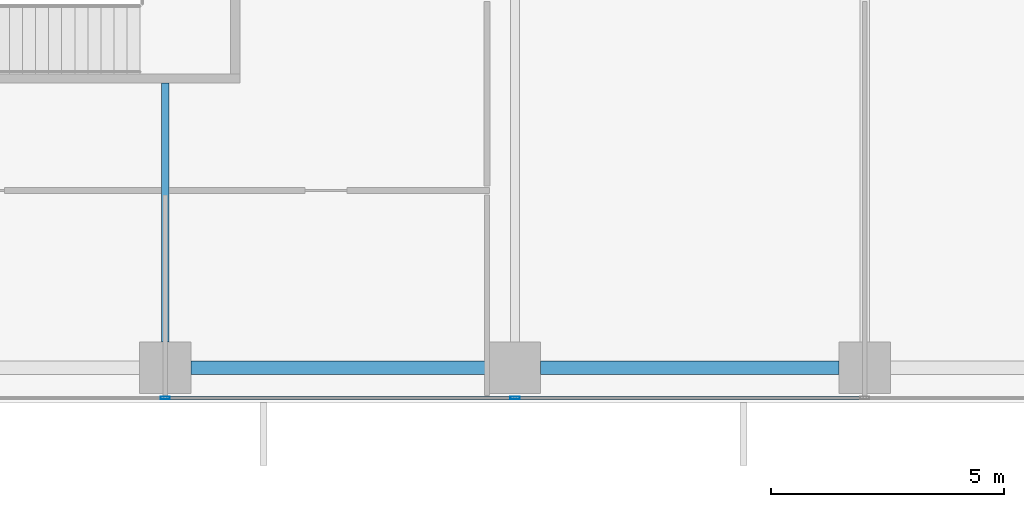
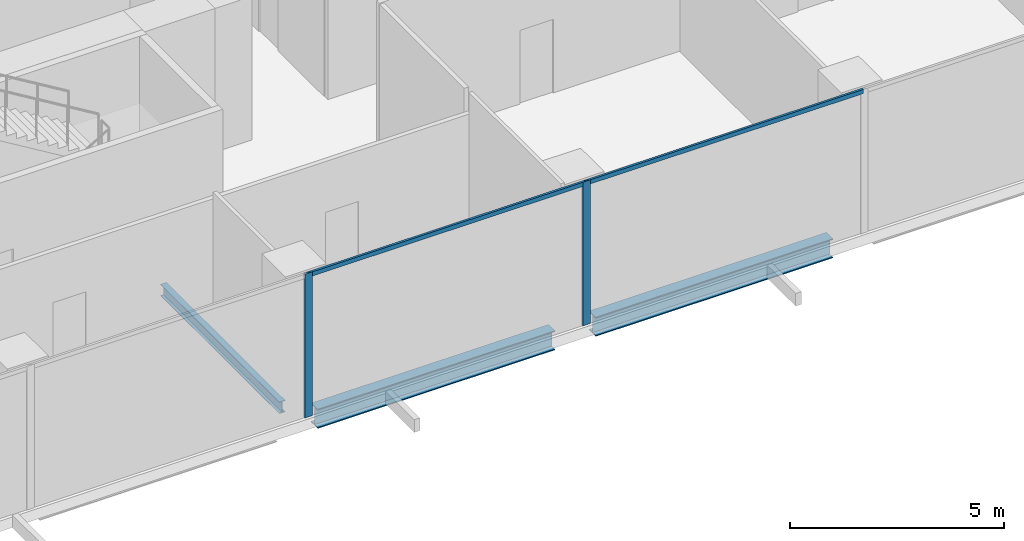
# One storey, part 5 of 34: 4 members, 3 beams, 1 element without a shape of its own.
"""IFC4 building model written with IfcOpenShell, lengths in metres."""

from ifc_helpers import new_model, si_unit, direction, frame, origin, origin_2d, place, context, subcontext, project, spatial, hollow_rectangle, i_section, extrude, source, transform, mapped, material, material_profile, profile_set, type_object, element, aggregate, save


model = new_model("IFC4")

# Units and contexts
model_context = context("Model", 3, precision=1e-05, world=origin(), true_north=direction((0.0, 1.0)))
body_context = subcontext(model_context, "Body", "Model", "MODEL_VIEW")
ifc_project = project(units=[si_unit("LENGTHUNIT", "METRE"), si_unit("AREAUNIT", "SQUARE_METRE"), si_unit("VOLUMEUNIT", "CUBIC_METRE"), si_unit("PLANEANGLEUNIT", "RADIAN"), si_unit("MASSUNIT", "GRAM", prefix="KILO")], contexts=[model_context])

# Site, building, storey
site_placement = place(None, origin())
site = spatial("IfcSite", under=ifc_project, at=site_placement, CompositionType="ELEMENT")
building_placement = place(site_placement, origin())
building = spatial("IfcBuilding", under=site, at=building_placement, Name="Khomas Fold Tower", CompositionType="ELEMENT")
storey_placement = place(building_placement, frame((0.0, 0.0, 110.300048828125)))
storey = spatial("IfcBuildingStorey", under=building, at=storey_placement, Name="L23", CompositionType="ELEMENT", Elevation=110.300048828125)

# Beams
ifc_material_1 = material(Name="Steel S355", Category="steel")
ifc_material_profile_1 = material_profile(ifc_material_1, i_section(OverallWidth=0.300048828125, OverallDepth=0.550048828125, WebThickness=0.014892578125, FlangeThickness=0.029052734375, at=origin_2d()), Name="HE 550 B")
ifc_profile_set_1 = profile_set([ifc_material_profile_1], Name="Steel S355")
beam_type_1 = type_object("IfcBeamType", Name="HE 550 B spandrel SB2", PredefinedType="SPANDREL", material=ifc_profile_set_1)
shared_shape_1 = source(origin(), body_context, "Body", "SweptSolid", [
    extrude(i_section(OverallWidth=0.300048828125, OverallDepth=0.550048828125, WebThickness=0.014892578125, FlangeThickness=0.029052734375, at=origin_2d()), origin(), (0.0, 0.0, 1.0), 6.39990234375),
])
for number, where, z_axis, x_axis, name in (
    (1, (20.050048828125, 2.25, -0.574951171875), (1.0, 0.0, 0.0), (0.0, 1.0, 0.0), "SB2"),
    (2, (27.550048828125, 2.25, -0.574951171875), (1.0, 0.0, 0.0), (0.0, 1.0, 0.0), "SB2"),
):
    element("IfcBeam", number, at=place(storey_placement, frame(where, z_axis=z_axis, x_axis=x_axis)), inside=storey, type_object=beam_type_1, Name=name, PredefinedType="SPANDREL", context=body_context, shape_type="MappedRepresentation", body=[
        mapped(shared_shape_1, transform((0.0, 0.0, 0.0))),
    ])
ifc_material_2 = material(Name="Steel S355", Category="steel")
ifc_material_profile_2 = material_profile(ifc_material_2, i_section(OverallWidth=0.159912109375, OverallDepth=0.330078125, WebThickness=0.007568359375, FlangeThickness=0.011474609375, at=origin_2d()), Name="IPE 330")
ifc_profile_set_2 = profile_set([ifc_material_profile_2], Name="Steel S355")
beam_type_2 = type_object("IfcBeamType", Name="IPE 330 beam JB1", PredefinedType="BEAM", material=ifc_profile_set_2)
shared_shape_2 = source(origin(), body_context, "Body", "SweptSolid", [
    extrude(i_section(OverallWidth=0.159912109375, OverallDepth=0.330078125, WebThickness=0.007568359375, FlangeThickness=0.011474609375, at=origin_2d()), origin(), (0.0, 0.0, 1.0), 5.550048828125),
])
beam_placement = place(storey_placement, frame((19.5, 2.800048828125, -0.465087890625), z_axis=(0.0, 1.0, 0.0), x_axis=(-1.0, 0.0, 0.0)))
element("IfcBeam", 3, at=beam_placement, inside=storey, type_object=beam_type_2, Name="JB1", PredefinedType="BEAM", context=body_context, shape_type="MappedRepresentation", body=[
    mapped(shared_shape_2, transform((0.0, 0.0, 0.0))),
])

# Curtain wall, members
ifc_material_3 = material(Name="Aluminium framed double glazing", Category="aluminium")
curtain_wall_type = type_object("IfcCurtainWallType", Name="SK-Unitised clear-glass wall, growing floors CW1", PredefinedType="NOTDEFINED", material=ifc_material_3)
curtain_wall_placement = place(storey_placement, origin())
curtain_wall = element("IfcCurtainWall", 4, at=curtain_wall_placement, inside=storey, type_object=curtain_wall_type, Name="CW1 run L23 00-0", PredefinedType="NOTDEFINED")
ifc_material_4 = material(Name="Aluminium", Category="aluminium")
ifc_material_profile_3 = material_profile(ifc_material_4, hollow_rectangle(XDim=0.06005859375, YDim=0.1201171875, WallThickness=0.00390625, at=origin_2d()), Name="SK-Unitised clear-glass wall, growing floors transom CW1-T")
ifc_profile_set_3 = profile_set([ifc_material_profile_3], Name="Aluminium")
member_type_1 = type_object("IfcMemberType", Name="SK-Unitised clear-glass wall, growing floors transom CW1-T", PredefinedType="USERDEFINED", material=ifc_profile_set_3)
shared_shape_3 = source(origin(), body_context, "Body", "SweptSolid", [
    extrude(hollow_rectangle(XDim=0.06005859375, YDim=0.1201171875, WallThickness=0.00390625, at=origin_2d()), origin(), (0.0, 0.0, 1.0), 7.43994140625),
])
member_1_placement = place(storey_placement, frame((19.530029296875, 1.60009765625, 4.0400390625), z_axis=(1.0, 0.0, 0.0), x_axis=(0.0, 1.0, 0.0)))
member_1 = element("IfcMember", 5, at=member_1_placement, type_object=member_type_1, Name="CW1 transom 4", ObjectType="TRANSOM", PredefinedType="USERDEFINED", context=body_context, shape_type="MappedRepresentation", body=[
    mapped(shared_shape_3, transform((0.0, 0.0, 0.0))),
])
member_2_placement = place(storey_placement, frame((27.030029296875, 1.60009765625, 4.0400390625), z_axis=(1.0, 0.0, 0.0), x_axis=(0.0, 1.0, 0.0)))
member_2 = element("IfcMember", 6, at=member_2_placement, type_object=member_type_1, Name="CW1 transom 5", ObjectType="TRANSOM", PredefinedType="USERDEFINED", context=body_context, shape_type="MappedRepresentation", body=[
    mapped(shared_shape_3, transform((0.0, 0.0, 0.0))),
])
ifc_material_5 = material(Name="Aluminium", Category="aluminium")
ifc_material_profile_4 = material_profile(ifc_material_5, hollow_rectangle(XDim=0.06005859375, YDim=0.199951171875, WallThickness=0.00390625, at=origin_2d()), Name="SK-Unitised clear-glass wall, growing floors mullion CW1-M")
ifc_profile_set_4 = profile_set([ifc_material_profile_4], Name="Aluminium")
member_type_2 = type_object("IfcMemberType", Name="SK-Unitised clear-glass wall, growing floors mullion CW1-M", PredefinedType="MULLION", material=ifc_profile_set_4)
shared_shape_4 = source(origin(), body_context, "Body", "SweptSolid", [
    extrude(hollow_rectangle(XDim=0.06005859375, YDim=0.199951171875, WallThickness=0.00390625, at=origin_2d()), origin(), (0.0, 0.0, 1.0), 4.099853515625),
])
member_3_placement = place(storey_placement, frame((19.5, 1.60009765625, 0.0), z_axis=(0.0, 0.0, 1.0), x_axis=(0.0, 1.0, 0.0)))
member_3 = element("IfcMember", 7, at=member_3_placement, type_object=member_type_2, Name="CW1 mullion 4", PredefinedType="MULLION", context=body_context, shape_type="MappedRepresentation", body=[
    mapped(shared_shape_4, transform((0.0, 0.0, 0.0))),
])
member_4_placement = place(storey_placement, frame((27.0, 1.60009765625, 0.0), z_axis=(0.0, 0.0, 1.0), x_axis=(0.0, 1.0, 0.0)))
member_4 = element("IfcMember", 8, at=member_4_placement, type_object=member_type_2, Name="CW1 mullion 5", PredefinedType="MULLION", context=body_context, shape_type="MappedRepresentation", body=[
    mapped(shared_shape_4, transform((0.0, 0.0, 0.0))),
])
aggregate(curtain_wall, [member_3, member_4, member_1, member_2])

save(model, "model.ifc")
